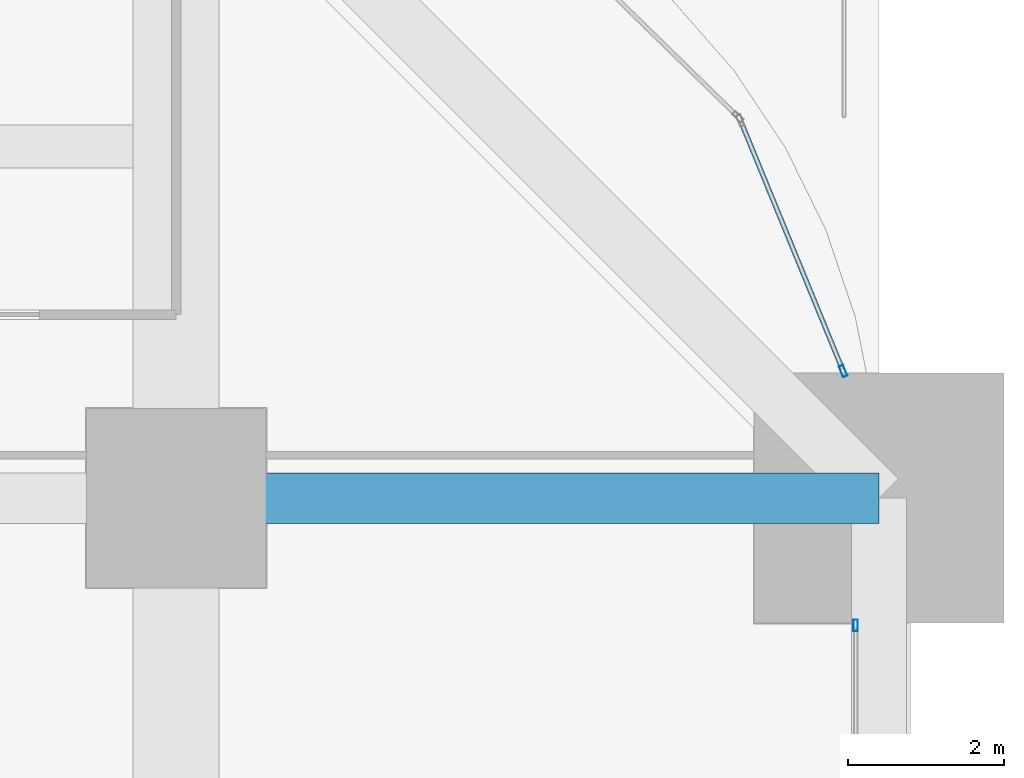
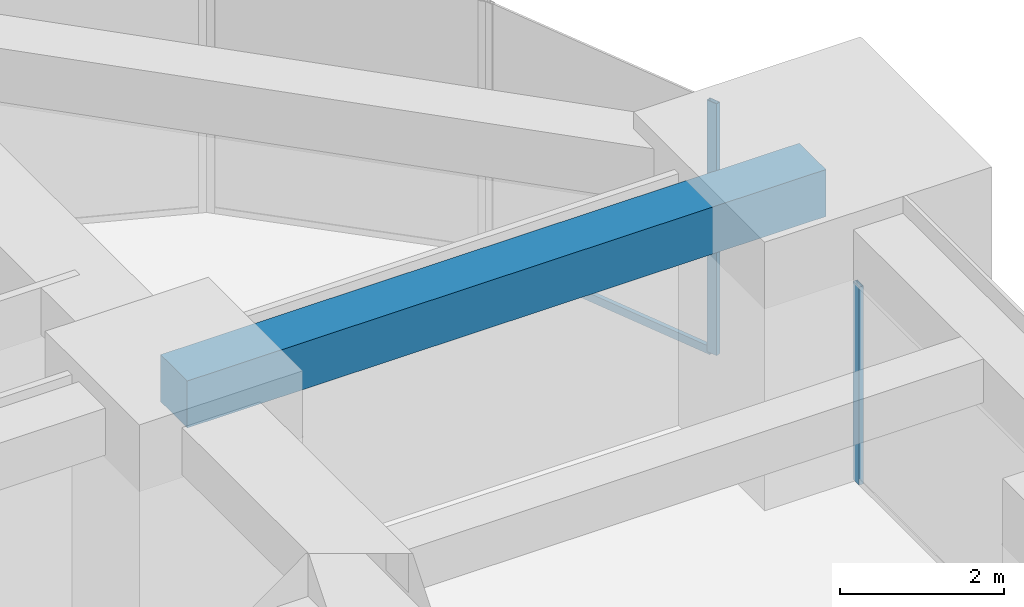
# One storey, part 32 of 50: 3 members, 1 beam, 2 elements without a shape of their own.
"""IFC4 building model written with IfcOpenShell, lengths in metres."""

from ifc_helpers import new_model, si_unit, direction, frame, origin, origin_2d, place, context, subcontext, project, spatial, rectangle, hollow_rectangle, extrude, material, material_profile, profile_set, type_object, element, aggregate, save


model = new_model("IFC4")

# Units and contexts
model_context = context("Model", 3, precision=1e-05, world=origin(), true_north=direction((0.0, 1.0)))
body_context = subcontext(model_context, "Body", "Model", "MODEL_VIEW")
ifc_project = project(units=[si_unit("LENGTHUNIT", "METRE"), si_unit("AREAUNIT", "SQUARE_METRE"), si_unit("VOLUMEUNIT", "CUBIC_METRE"), si_unit("PLANEANGLEUNIT", "RADIAN"), si_unit("MASSUNIT", "GRAM", prefix="KILO")], contexts=[model_context])

# Site, building, storey
site_placement = place(None, origin())
site = spatial("IfcSite", under=ifc_project, at=site_placement, CompositionType="ELEMENT")
building_placement = place(site_placement, origin())
building = spatial("IfcBuilding", under=site, at=building_placement, Name="Zorevar Civic Tower", CompositionType="ELEMENT")
storey_placement = place(building_placement, frame((0.0, 0.0, 85.0)))
storey = spatial("IfcBuildingStorey", under=building, at=storey_placement, Name="L20", CompositionType="ELEMENT", Elevation=85.0)

# Beam
ifc_material_1 = material(Name="Concrete C50/60", Category="concrete")
ifc_material_profile_1 = material_profile(ifc_material_1, rectangle(XDim=0.64990234375, YDim=0.699951171875, at=origin_2d()), Name="RC 650x700")
ifc_profile_set_1 = profile_set([ifc_material_profile_1], Name="Concrete C50/60")
beam_type = type_object("IfcBeamType", Name="Beam RC 650x700", PredefinedType="BEAM", material=ifc_profile_set_1)
beam_placement = place(storey_placement, frame((54.0, 36.0, 3.39990234375), z_axis=(1.0, 0.0, 0.0), x_axis=(0.0, 1.0, 0.0)))
element("IfcBeam", 1, at=beam_placement, inside=storey, type_object=beam_type, Name="Girder L21", PredefinedType="BEAM", context=body_context, shape_type="SweptSolid", body=[
    extrude(rectangle(XDim=0.64990234375, YDim=0.699951171875, at=origin_2d()), origin(), (0.0, 0.0, 1.0), 9.0),
])

# Curtain wall, member
ifc_material_2 = material(Name="Dark grey solar-control glass in black aluminium frame", Category="aluminium")
curtain_wall_type = type_object("IfcCurtainWallType", Name="Curtain wall CW3 mid zone", PredefinedType="NOTDEFINED", material=ifc_material_2)
curtain_wall_1_placement = place(storey_placement, origin())
curtain_wall_1 = element("IfcCurtainWall", 2, at=curtain_wall_1_placement, inside=storey, type_object=curtain_wall_type, Name="CW3 L20", PredefinedType="NOTDEFINED")
ifc_material_3 = material(Name="Aluminium, black anodised", Category="aluminium")
ifc_material_profile_2 = material_profile(ifc_material_3, hollow_rectangle(XDim=0.06005859375, YDim=0.14990234375, WallThickness=0.00390625, at=origin_2d()), Name="AL 150x60x4")
ifc_profile_set_2 = profile_set([ifc_material_profile_2], Name="Aluminium, black anodised")
member_type_1 = type_object("IfcMemberType", Name="CW3 mullion AL 150x60x4", PredefinedType="MULLION", material=ifc_profile_set_2)
member_1_placement = place(storey_placement, frame((62.699951171875, 34.3701171875, 0.0), z_axis=(0.0, 0.0, 1.0), x_axis=(-1.0, 0.0, 0.0)))
member_1 = element("IfcMember", 3, at=member_1_placement, type_object=member_type_1, Name="CW3 mullion 2", PredefinedType="MULLION", context=body_context, shape_type="SweptSolid", body=[
    extrude(hollow_rectangle(XDim=0.06005859375, YDim=0.14990234375, WallThickness=0.00390625, at=origin_2d()), origin(), (0.0, 0.0, 1.0), 2.949951171875),
])
aggregate(curtain_wall_1, [member_1])

# Curtain wall, members
curtain_wall_2_placement = place(storey_placement, origin())
curtain_wall_2 = element("IfcCurtainWall", 4, at=curtain_wall_2_placement, inside=storey, type_object=curtain_wall_type, Name="CW3 L20", PredefinedType="NOTDEFINED")
member_2_placement = place(storey_placement, frame((62.540283203125, 37.627685546875, 0.0), z_axis=(0.0, 0.0, 1.0), x_axis=(-0.925293982968, -0.379250636233, 0.0)))
member_2 = element("IfcMember", 5, at=member_2_placement, type_object=member_type_1, Name="CW3 mullion 1", PredefinedType="MULLION", context=body_context, shape_type="SweptSolid", body=[
    extrude(hollow_rectangle(XDim=0.06005859375, YDim=0.14990234375, WallThickness=0.00390625, at=origin_2d()), origin(), (0.0, 0.0, 1.0), 3.75),
])
ifc_material_4 = material(Name="Aluminium, black anodised", Category="aluminium")
ifc_material_profile_3 = material_profile(ifc_material_4, hollow_rectangle(XDim=0.06005859375, YDim=0.1201171875, WallThickness=0.0029296875, at=origin_2d()), Name="AL 120x60x3")
ifc_profile_set_3 = profile_set([ifc_material_profile_3], Name="Aluminium, black anodised")
member_type_2 = type_object("IfcMemberType", Name="CW3 transom AL 120x60x3", PredefinedType="USERDEFINED", material=ifc_profile_set_3)
member_3_placement = place(storey_placement, frame((62.52880859375, 37.655517578125, 0.030029296875), z_axis=(-0.37923851087, 0.925298952703, 0.0), x_axis=(-0.925298952703, -0.37923851087, 0.0)))
member_3 = element("IfcMember", 6, at=member_3_placement, type_object=member_type_2, Name="CW3 sill transom", ObjectType="TRANSOM", PredefinedType="USERDEFINED", context=body_context, shape_type="SweptSolid", body=[
    extrude(hollow_rectangle(XDim=0.06005859375, YDim=0.1201171875, WallThickness=0.0029296875, at=origin_2d()), origin(), (0.0, 0.0, 1.0), 3.405517578125),
])
aggregate(curtain_wall_2, [member_2, member_3])

save(model, "model.ifc")
